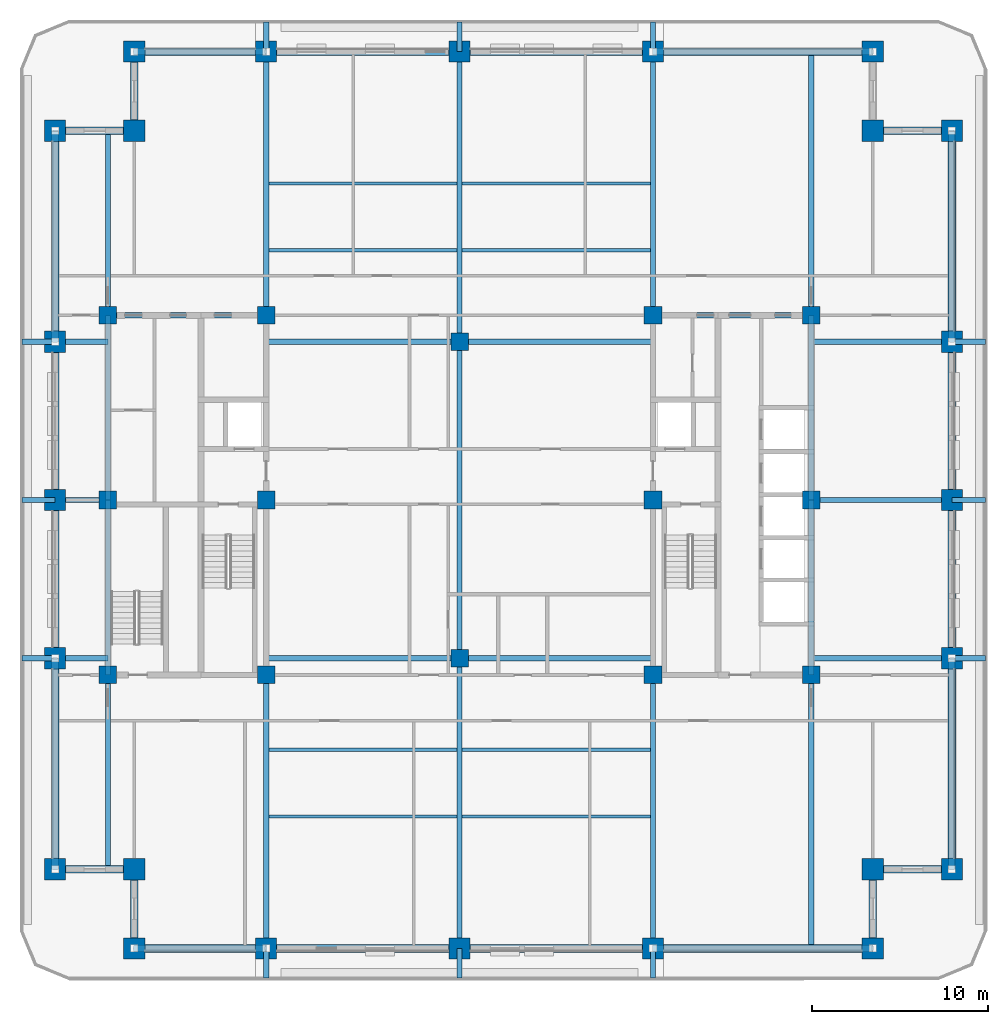
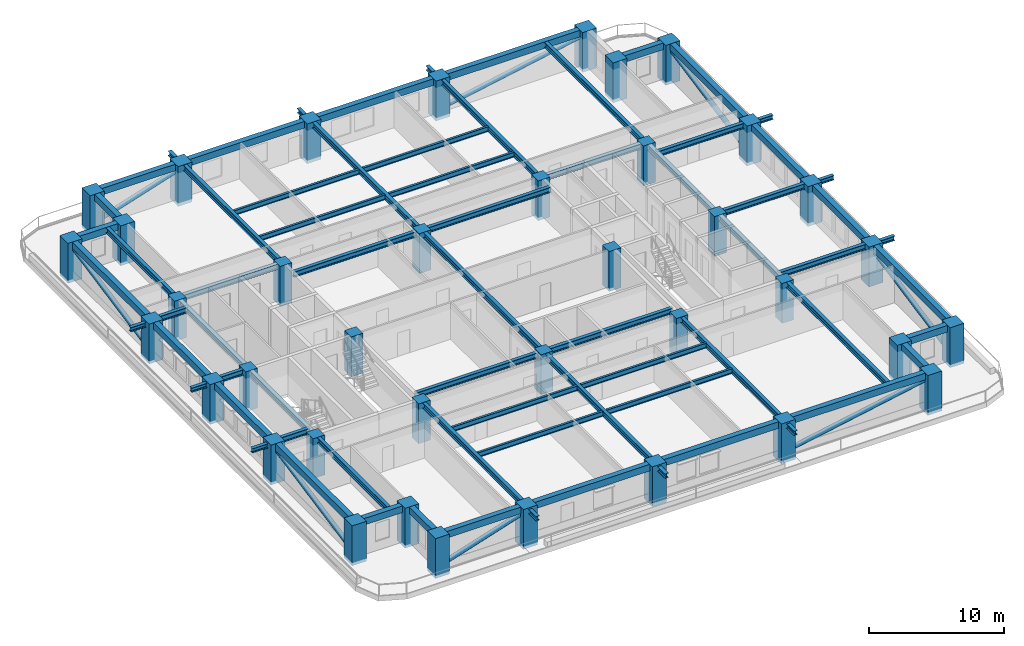
# One storey, part 1 of 14: 70 beams, 38 columns, 8 members.
"""IFC4 building model written with IfcOpenShell, lengths in metres."""

from ifc_helpers import new_model, si_unit, direction, frame, origin, origin_2d, place, context, subcontext, project, spatial, rectangle, hollow_circle, i_section, extrude, material, material_profile, profile_set, type_object, element, save


model = new_model("IFC4")

# Units and contexts
model_context = context("Model", 3, precision=1e-05, world=origin(), true_north=direction((0.0, 1.0)))
body_context = subcontext(model_context, "Body", "Model", "MODEL_VIEW")
ifc_project = project(units=[si_unit("LENGTHUNIT", "METRE"), si_unit("AREAUNIT", "SQUARE_METRE"), si_unit("VOLUMEUNIT", "CUBIC_METRE"), si_unit("PLANEANGLEUNIT", "RADIAN"), si_unit("MASSUNIT", "GRAM", prefix="KILO")], contexts=[model_context])

# Site, building, storey
site_placement = place(None, origin())
site = spatial("IfcSite", under=ifc_project, at=site_placement, CompositionType="ELEMENT")
building_placement = place(site_placement, origin())
building = spatial("IfcBuilding", under=site, at=building_placement, Name="Zulmaris Gate Convention Tower", CompositionType="ELEMENT")
storey_placement = place(building_placement, frame((0.0, 0.0, 98.5)))
storey = spatial("IfcBuildingStorey", under=building, at=storey_placement, Name="L24", CompositionType="ELEMENT", Elevation=98.5)

# Columns
ifc_material_1 = material(Name="Concrete C60/75", Category="concrete")
ifc_material_profile_1 = material_profile(ifc_material_1, rectangle(XDim=1.0, YDim=1.0, at=origin_2d()), Name="RC COL 1000x1000")
ifc_profile_set_1 = profile_set([ifc_material_profile_1], Name="Concrete C60/75")
column_type_1 = type_object("IfcColumnType", Name="COL-RC1000", PredefinedType="COLUMN", material=ifc_profile_set_1)
for number, where, z_axis, x_axis, name in (
    (1, (-20.0, -9.949951171875, -0.27490234375), (0.0, 0.0, 1.0), (1.0, 0.0, 0.0), "L24 Column IN--20.00_-9.95"),
    (2, (-20.0, 10.5, -0.27490234375), (0.0, 0.0, 1.0), (1.0, 0.0, 0.0), "L24 Column IN--20.00_+10.50"),
    (3, (-11.0, -9.949951171875, -0.27490234375), (0.0, 0.0, 1.0), (1.0, 0.0, 0.0), "L24 Column IN--11.00_-9.95"),
    (4, (-11.0, 0.0, -0.27490234375), (0.0, 0.0, 1.0), (1.0, 0.0, 0.0), "L24 Column IN--11.00_+0.00"),
    (5, (-11.0, 10.5, -0.27490234375), (0.0, 0.0, 1.0), (1.0, 0.0, 0.0), "L24 Column IN--11.00_+10.50"),
    (6, (11.0, -9.949951171875, -0.27490234375), (0.0, 0.0, 1.0), (1.0, 0.0, 0.0), "L24 Column IN-+11.00_-9.95"),
    (7, (11.0, 0.0, -0.27490234375), (0.0, 0.0, 1.0), (1.0, 0.0, 0.0), "L24 Column IN-+11.00_+0.00"),
    (8, (11.0, 10.5, -0.27490234375), (0.0, 0.0, 1.0), (1.0, 0.0, 0.0), "L24 Column IN-+11.00_+10.50"),
    (9, (20.0, -9.949951171875, -0.27490234375), (0.0, 0.0, 1.0), (1.0, 0.0, 0.0), "L24 Column IN-+20.00_-9.95"),
    (10, (20.0, 10.5, -0.27490234375), (0.0, 0.0, 1.0), (1.0, 0.0, 0.0), "L24 Column IN-+20.00_+10.50"),
    (11, (0.0, -9.0, -0.27490234375), (0.0, 0.0, 1.0), (1.0, 0.0, 0.0), "L24 Column IN-+0.00_-9.00"),
    (12, (0.0, 9.0, -0.27490234375), (0.0, 0.0, 1.0), (1.0, 0.0, 0.0), "L24 Column IN-+0.00_+9.00"),
    (13, (-20.0, 0.0, -0.27490234375), (0.0, 0.0, 1.0), (1.0, 0.0, 0.0), "L24 Column IN--20.00_+0.00"),
    (14, (20.0, 0.0, -0.27490234375), (0.0, 0.0, 1.0), (1.0, 0.0, 0.0), "L24 Column IN-+20.00_+0.00"),
):
    element("IfcColumn", number, at=place(storey_placement, frame(where, z_axis=z_axis, x_axis=x_axis)), inside=storey, type_object=column_type_1, Name=name, PredefinedType="COLUMN", context=body_context, shape_type="SweptSolid", body=[
        extrude(rectangle(XDim=1.0, YDim=1.0, at=origin_2d()), origin(), (0.0, 0.0, 1.0), 3.5947265625),
    ])
ifc_material_2 = material(Name="Concrete C70/85", Category="concrete")
ifc_material_profile_2 = material_profile(ifc_material_2, rectangle(XDim=1.199951171875, YDim=1.199951171875, at=origin_2d()), Name="RC COL 1200x1200")
ifc_profile_set_2 = profile_set([ifc_material_profile_2], Name="Concrete C70/85")
column_type_2 = type_object("IfcColumnType", Name="COL-RC1200", PredefinedType="COLUMN", material=ifc_profile_set_2)
for number, where, z_axis, x_axis, name in (
    (15, (-18.5, -25.5, -0.27490234375), (0.0, 0.0, 1.0), (1.0, 0.0, 0.0), "L24 Column PT--18.50_-25.50"),
    (16, (-11.0, -25.5, -0.27490234375), (0.0, 0.0, 1.0), (1.0, 0.0, 0.0), "L24 Column PT--11.00_-25.50"),
    (17, (0.0, -25.5, -0.27490234375), (0.0, 0.0, 1.0), (1.0, 0.0, 0.0), "L24 Column PT-+0.00_-25.50"),
    (18, (11.0, -25.5, -0.27490234375), (0.0, 0.0, 1.0), (1.0, 0.0, 0.0), "L24 Column PT-+11.00_-25.50"),
    (19, (23.5, -25.5, -0.27490234375), (0.0, 0.0, 1.0), (1.0, 0.0, 0.0), "L24 Column PT-+23.50_-25.50"),
    (20, (-18.5, 25.5, -0.27490234375), (0.0, 0.0, 1.0), (1.0, 0.0, 0.0), "L24 Column PT--18.50_+25.50"),
    (21, (-11.0, 25.5, -0.27490234375), (0.0, 0.0, 1.0), (1.0, 0.0, 0.0), "L24 Column PT--11.00_+25.50"),
    (22, (0.0, 25.5, -0.27490234375), (0.0, 0.0, 1.0), (1.0, 0.0, 0.0), "L24 Column PT-+0.00_+25.50"),
    (23, (11.0, 25.5, -0.27490234375), (0.0, 0.0, 1.0), (1.0, 0.0, 0.0), "L24 Column PT-+11.00_+25.50"),
    (24, (23.5, 25.5, -0.27490234375), (0.0, 0.0, 1.0), (1.0, 0.0, 0.0), "L24 Column PT-+23.50_+25.50"),
    (25, (-23.0, -21.0, -0.27490234375), (0.0, 0.0, 1.0), (1.0, 0.0, 0.0), "L24 Column PT--23.00_-21.00"),
    (26, (-23.0, -9.0, -0.27490234375), (0.0, 0.0, 1.0), (1.0, 0.0, 0.0), "L24 Column PT--23.00_-9.00"),
    (27, (-23.0, 0.0, -0.27490234375), (0.0, 0.0, 1.0), (1.0, 0.0, 0.0), "L24 Column PT--23.00_+0.00"),
    (28, (-23.0, 9.0, -0.27490234375), (0.0, 0.0, 1.0), (1.0, 0.0, 0.0), "L24 Column PT--23.00_+9.00"),
    (29, (-23.0, 21.0, -0.27490234375), (0.0, 0.0, 1.0), (1.0, 0.0, 0.0), "L24 Column PT--23.00_+21.00"),
    (30, (28.0, -21.0, -0.27490234375), (0.0, 0.0, 1.0), (1.0, 0.0, 0.0), "L24 Column PT-+28.00_-21.00"),
    (31, (28.0, -9.0, -0.27490234375), (0.0, 0.0, 1.0), (1.0, 0.0, 0.0), "L24 Column PT-+28.00_-9.00"),
    (32, (28.0, 0.0, -0.27490234375), (0.0, 0.0, 1.0), (1.0, 0.0, 0.0), "L24 Column PT-+28.00_+0.00"),
    (33, (28.0, 9.0, -0.27490234375), (0.0, 0.0, 1.0), (1.0, 0.0, 0.0), "L24 Column PT-+28.00_+9.00"),
    (34, (28.0, 21.0, -0.27490234375), (0.0, 0.0, 1.0), (1.0, 0.0, 0.0), "L24 Column PT-+28.00_+21.00"),
    (35, (-18.5, -21.0, -0.27490234375), (0.0, 0.0, 1.0), (1.0, 0.0, 0.0), "L24 Column PT--18.50_-21.00"),
    (36, (23.5, -21.0, -0.27490234375), (0.0, 0.0, 1.0), (1.0, 0.0, 0.0), "L24 Column PT-+23.50_-21.00"),
    (37, (23.5, 21.0, -0.27490234375), (0.0, 0.0, 1.0), (1.0, 0.0, 0.0), "L24 Column PT-+23.50_+21.00"),
    (38, (-18.5, 21.0, -0.27490234375), (0.0, 0.0, 1.0), (1.0, 0.0, 0.0), "L24 Column PT--18.50_+21.00"),
):
    element("IfcColumn", number, at=place(storey_placement, frame(where, z_axis=z_axis, x_axis=x_axis)), inside=storey, type_object=column_type_2, Name=name, PredefinedType="COLUMN", context=body_context, shape_type="SweptSolid", body=[
        extrude(rectangle(XDim=1.199951171875, YDim=1.199951171875, at=origin_2d()), origin(), (0.0, 0.0, 1.0), 3.5947265625),
    ])

# Beams
ifc_material_3 = material(Name="Steel S355", Category="steel")
ifc_material_profile_3 = material_profile(ifc_material_3, i_section(OverallWidth=0.300048828125, OverallDepth=0.39990234375, WebThickness=0.013427734375, FlangeThickness=0.02392578125, FilletRadius=0.027099609375, at=origin_2d()), Name="HEB 400")
ifc_profile_set_3 = profile_set([ifc_material_profile_3], Name="Steel S355")
beam_type_1 = type_object("IfcBeamType", Name="BM-HEB400", PredefinedType="BEAM", material=ifc_profile_set_3)
for number, where, z_axis, x_axis, name in (
    (39, (-11.0, -27.199951171875, 2.979736328125), (0.0, 1.0, 0.0), (-1.0, 0.0, 0.0), "L24 Beam TBRK-L24-S--11"),
    (40, (-11.0, 25.5, 2.979736328125), (0.0, 1.0, 0.0), (-1.0, 0.0, 0.0), "L24 Beam TBRK-L24-N--11"),
    (41, (0.0, -27.199951171875, 2.979736328125), (0.0, 1.0, 0.0), (-1.0, 0.0, 0.0), "L24 Beam TBRK-L24-S-+0"),
    (42, (0.0, 25.5, 2.979736328125), (0.0, 1.0, 0.0), (-1.0, 0.0, 0.0), "L24 Beam TBRK-L24-N-+0"),
    (43, (11.0, -27.199951171875, 2.979736328125), (0.0, 1.0, 0.0), (-1.0, 0.0, 0.0), "L24 Beam TBRK-L24-S-+11"),
    (44, (11.0, 25.5, 2.979736328125), (0.0, 1.0, 0.0), (-1.0, 0.0, 0.0), "L24 Beam TBRK-L24-N-+11"),
):
    element("IfcBeam", number, at=place(storey_placement, frame(where, z_axis=z_axis, x_axis=x_axis)), inside=storey, type_object=beam_type_1, Name=name, PredefinedType="BEAM", context=body_context, shape_type="SweptSolid", body=[
        extrude(i_section(OverallWidth=0.300048828125, OverallDepth=0.39990234375, WebThickness=0.013427734375, FlangeThickness=0.02392578125, FilletRadius=0.027099609375, at=origin_2d()), origin(), (0.0, 0.0, 1.0), 1.699951171875),
    ])
for number, where, z_axis, x_axis, name in (
    (45, (-24.89990234375, -9.0, 2.979736328125), (1.0, 0.0, 0.0), (0.0, 1.0, 0.0), "L24 Beam TBRK-L24-W--9"),
    (46, (28.0, -9.0, 2.979736328125), (1.0, 0.0, 0.0), (0.0, 1.0, 0.0), "L24 Beam TBRK-L24-E--9"),
    (47, (-24.89990234375, 0.0, 2.979736328125), (1.0, 0.0, 0.0), (0.0, 1.0, 0.0), "L24 Beam TBRK-L24-W-+0"),
    (48, (28.0, 0.0, 2.979736328125), (1.0, 0.0, 0.0), (0.0, 1.0, 0.0), "L24 Beam TBRK-L24-E-+0"),
    (49, (-24.89990234375, 9.0, 2.979736328125), (1.0, 0.0, 0.0), (0.0, 1.0, 0.0), "L24 Beam TBRK-L24-W-+9"),
    (50, (28.0, 9.0, 2.979736328125), (1.0, 0.0, 0.0), (0.0, 1.0, 0.0), "L24 Beam TBRK-L24-E-+9"),
):
    element("IfcBeam", number, at=place(storey_placement, frame(where, z_axis=z_axis, x_axis=x_axis)), inside=storey, type_object=beam_type_1, Name=name, PredefinedType="BEAM", context=body_context, shape_type="SweptSolid", body=[
        extrude(i_section(OverallWidth=0.300048828125, OverallDepth=0.39990234375, WebThickness=0.013427734375, FlangeThickness=0.02392578125, FilletRadius=0.027099609375, at=origin_2d()), origin(), (0.0, 0.0, 1.0), 1.89990234375),
    ])
ifc_material_profile_4 = material_profile(ifc_material_3, i_section(OverallWidth=0.300048828125, OverallDepth=0.5, WebThickness=0.014404296875, FlangeThickness=0.028076171875, FilletRadius=0.027099609375, at=origin_2d()), Name="HEB 500")
ifc_profile_set_4 = profile_set([ifc_material_profile_4], Name="Steel S355")
beam_type_2 = type_object("IfcBeamType", Name="BM-HEB500", PredefinedType="BEAM", material=ifc_profile_set_4)
for number, where, z_axis, x_axis, name in (
    (51, (-11.0, -9.0, 3.06787109375), (1.0, 0.0, 0.0), (0.0, 1.0, 0.0), "L24 Beam BM-L24-G01"),
    (52, (0.0, -9.0, 3.06787109375), (1.0, 0.0, 0.0), (0.0, 1.0, 0.0), "L24 Beam BM-L24-G02"),
    (53, (-11.0, 9.0, 3.06787109375), (1.0, 0.0, 0.0), (0.0, 1.0, 0.0), "L24 Beam BM-L24-G03"),
    (54, (0.0, 9.0, 3.06787109375), (1.0, 0.0, 0.0), (0.0, 1.0, 0.0), "L24 Beam BM-L24-G04"),
):
    element("IfcBeam", number, at=place(storey_placement, frame(where, z_axis=z_axis, x_axis=x_axis)), inside=storey, type_object=beam_type_2, Name=name, PredefinedType="BEAM", context=body_context, shape_type="SweptSolid", body=[
        extrude(i_section(OverallWidth=0.300048828125, OverallDepth=0.5, WebThickness=0.014404296875, FlangeThickness=0.028076171875, FilletRadius=0.027099609375, at=origin_2d()), origin(), (0.0, 0.0, 1.0), 11.0),
    ])
beam_1_placement = place(storey_placement, frame((0.0, -25.5, 3.042724609375), z_axis=(0.0, 1.0, 0.0), x_axis=(-1.0, 0.0, 0.0)))
element("IfcBeam", 55, at=beam_1_placement, inside=storey, type_object=beam_type_2, Name="L24 Beam BM-L24-G05", PredefinedType="BEAM", context=body_context, shape_type="SweptSolid", body=[
    extrude(i_section(OverallWidth=0.300048828125, OverallDepth=0.5, WebThickness=0.014404296875, FlangeThickness=0.028076171875, FilletRadius=0.027099609375, at=origin_2d()), origin(), (0.0, 0.0, 1.0), 16.5),
])
beam_2_placement = place(storey_placement, frame((0.0, -9.0, 3.06787109375), z_axis=(0.0, 1.0, 0.0), x_axis=(-1.0, 0.0, 0.0)))
element("IfcBeam", 56, at=beam_2_placement, inside=storey, type_object=beam_type_2, Name="L24 Beam BM-L24-G06", PredefinedType="BEAM", context=body_context, shape_type="SweptSolid", body=[
    extrude(i_section(OverallWidth=0.300048828125, OverallDepth=0.5, WebThickness=0.014404296875, FlangeThickness=0.028076171875, FilletRadius=0.027099609375, at=origin_2d()), origin(), (0.0, 0.0, 1.0), 18.0),
])
beam_3_placement = place(storey_placement, frame((0.0, 9.0, 3.042724609375), z_axis=(0.0, 1.0, 0.0), x_axis=(-1.0, 0.0, 0.0)))
element("IfcBeam", 57, at=beam_3_placement, inside=storey, type_object=beam_type_2, Name="L24 Beam BM-L24-G07", PredefinedType="BEAM", context=body_context, shape_type="SweptSolid", body=[
    extrude(i_section(OverallWidth=0.300048828125, OverallDepth=0.5, WebThickness=0.014404296875, FlangeThickness=0.028076171875, FilletRadius=0.027099609375, at=origin_2d()), origin(), (0.0, 0.0, 1.0), 16.5),
])
beam_4_placement = place(storey_placement, frame((-11.0, -25.5, 3.042724609375), z_axis=(0.0, 1.0, 0.0), x_axis=(-1.0, 0.0, 0.0)))
element("IfcBeam", 58, at=beam_4_placement, inside=storey, type_object=beam_type_2, Name="L24 Beam BM-L24-G08", PredefinedType="BEAM", context=body_context, shape_type="SweptSolid", body=[
    extrude(i_section(OverallWidth=0.300048828125, OverallDepth=0.5, WebThickness=0.014404296875, FlangeThickness=0.028076171875, FilletRadius=0.027099609375, at=origin_2d()), origin(), (0.0, 0.0, 1.0), 15.550048828125),
])
beam_5_placement = place(storey_placement, frame((-11.0, 10.5, 3.042724609375), z_axis=(0.0, 1.0, 0.0), x_axis=(-1.0, 0.0, 0.0)))
element("IfcBeam", 59, at=beam_5_placement, inside=storey, type_object=beam_type_2, Name="L24 Beam BM-L24-G09", PredefinedType="BEAM", context=body_context, shape_type="SweptSolid", body=[
    extrude(i_section(OverallWidth=0.300048828125, OverallDepth=0.5, WebThickness=0.014404296875, FlangeThickness=0.028076171875, FilletRadius=0.027099609375, at=origin_2d()), origin(), (0.0, 0.0, 1.0), 15.0),
])
beam_6_placement = place(storey_placement, frame((11.0, -25.5, 3.042724609375), z_axis=(0.0, 1.0, 0.0), x_axis=(-1.0, 0.0, 0.0)))
element("IfcBeam", 60, at=beam_6_placement, inside=storey, type_object=beam_type_2, Name="L24 Beam BM-L24-G10", PredefinedType="BEAM", context=body_context, shape_type="SweptSolid", body=[
    extrude(i_section(OverallWidth=0.300048828125, OverallDepth=0.5, WebThickness=0.014404296875, FlangeThickness=0.028076171875, FilletRadius=0.027099609375, at=origin_2d()), origin(), (0.0, 0.0, 1.0), 15.550048828125),
])
beam_7_placement = place(storey_placement, frame((11.0, 10.5, 3.042724609375), z_axis=(0.0, 1.0, 0.0), x_axis=(-1.0, 0.0, 0.0)))
element("IfcBeam", 61, at=beam_7_placement, inside=storey, type_object=beam_type_2, Name="L24 Beam BM-L24-G11", PredefinedType="BEAM", context=body_context, shape_type="SweptSolid", body=[
    extrude(i_section(OverallWidth=0.300048828125, OverallDepth=0.5, WebThickness=0.014404296875, FlangeThickness=0.028076171875, FilletRadius=0.027099609375, at=origin_2d()), origin(), (0.0, 0.0, 1.0), 15.0),
])
beam_8_placement = place(storey_placement, frame((-20.0, -21.0, 3.06787109375), z_axis=(0.0, 1.0, 0.0), x_axis=(-1.0, 0.0, 0.0)))
element("IfcBeam", 62, at=beam_8_placement, inside=storey, type_object=beam_type_2, Name="L24 Beam BM-L24-G12", PredefinedType="BEAM", context=body_context, shape_type="SweptSolid", body=[
    extrude(i_section(OverallWidth=0.300048828125, OverallDepth=0.5, WebThickness=0.014404296875, FlangeThickness=0.028076171875, FilletRadius=0.027099609375, at=origin_2d()), origin(), (0.0, 0.0, 1.0), 11.050048828125),
])
beam_9_placement = place(storey_placement, frame((-20.0, 10.5, 3.06787109375), z_axis=(0.0, 1.0, 0.0), x_axis=(-1.0, 0.0, 0.0)))
element("IfcBeam", 63, at=beam_9_placement, inside=storey, type_object=beam_type_2, Name="L24 Beam BM-L24-G13", PredefinedType="BEAM", context=body_context, shape_type="SweptSolid", body=[
    extrude(i_section(OverallWidth=0.300048828125, OverallDepth=0.5, WebThickness=0.014404296875, FlangeThickness=0.028076171875, FilletRadius=0.027099609375, at=origin_2d()), origin(), (0.0, 0.0, 1.0), 10.5),
])
beam_10_placement = place(storey_placement, frame((20.0, -25.5, 3.06787109375), z_axis=(0.0, 1.0, 0.0), x_axis=(-1.0, 0.0, 0.0)))
element("IfcBeam", 64, at=beam_10_placement, inside=storey, type_object=beam_type_2, Name="L24 Beam BM-L24-G14", PredefinedType="BEAM", context=body_context, shape_type="SweptSolid", body=[
    extrude(i_section(OverallWidth=0.300048828125, OverallDepth=0.5, WebThickness=0.014404296875, FlangeThickness=0.028076171875, FilletRadius=0.027099609375, at=origin_2d()), origin(), (0.0, 0.0, 1.0), 15.550048828125),
])
beam_11_placement = place(storey_placement, frame((20.0, 10.5, 3.06787109375), z_axis=(0.0, 1.0, 0.0), x_axis=(-1.0, 0.0, 0.0)))
element("IfcBeam", 65, at=beam_11_placement, inside=storey, type_object=beam_type_2, Name="L24 Beam BM-L24-G15", PredefinedType="BEAM", context=body_context, shape_type="SweptSolid", body=[
    extrude(i_section(OverallWidth=0.300048828125, OverallDepth=0.5, WebThickness=0.014404296875, FlangeThickness=0.028076171875, FilletRadius=0.027099609375, at=origin_2d()), origin(), (0.0, 0.0, 1.0), 15.0),
])
for number, where, z_axis, x_axis, name in (
    (66, (-23.0, -9.0, 3.06787109375), (1.0, 0.0, 0.0), (0.0, 1.0, 0.0), "L24 Beam BM-L24-G16"),
    (67, (-23.0, 0.0, 3.06787109375), (1.0, 0.0, 0.0), (0.0, 1.0, 0.0), "L24 Beam BM-L24-G17"),
    (68, (-23.0, 9.0, 3.06787109375), (1.0, 0.0, 0.0), (0.0, 1.0, 0.0), "L24 Beam BM-L24-G18"),
):
    element("IfcBeam", number, at=place(storey_placement, frame(where, z_axis=z_axis, x_axis=x_axis)), inside=storey, type_object=beam_type_2, Name=name, PredefinedType="BEAM", context=body_context, shape_type="SweptSolid", body=[
        extrude(i_section(OverallWidth=0.300048828125, OverallDepth=0.5, WebThickness=0.014404296875, FlangeThickness=0.028076171875, FilletRadius=0.027099609375, at=origin_2d()), origin(), (0.0, 0.0, 1.0), 3.0),
    ])
for number, where, z_axis, x_axis, name in (
    (69, (20.0, -9.0, 3.06787109375), (1.0, 0.0, 0.0), (0.0, 1.0, 0.0), "L24 Beam BM-L24-G19"),
    (70, (20.0, 0.0, 3.06787109375), (1.0, 0.0, 0.0), (0.0, 1.0, 0.0), "L24 Beam BM-L24-G20"),
    (71, (20.0, 9.0, 3.06787109375), (1.0, 0.0, 0.0), (0.0, 1.0, 0.0), "L24 Beam BM-L24-G21"),
):
    element("IfcBeam", number, at=place(storey_placement, frame(where, z_axis=z_axis, x_axis=x_axis)), inside=storey, type_object=beam_type_2, Name=name, PredefinedType="BEAM", context=body_context, shape_type="SweptSolid", body=[
        extrude(i_section(OverallWidth=0.300048828125, OverallDepth=0.5, WebThickness=0.014404296875, FlangeThickness=0.028076171875, FilletRadius=0.027099609375, at=origin_2d()), origin(), (0.0, 0.0, 1.0), 8.0),
    ])
for number, where, z_axis, x_axis, name in (
    (72, (-20.0, 10.5, 3.06787109375), (1.0, 0.0, 0.0), (0.0, 1.0, 0.0), "L24 Beam BM-L24-G23"),
    (73, (11.0, 10.5, 3.06787109375), (1.0, 0.0, 0.0), (0.0, 1.0, 0.0), "L24 Beam BM-L24-G25"),
):
    element("IfcBeam", number, at=place(storey_placement, frame(where, z_axis=z_axis, x_axis=x_axis)), inside=storey, type_object=beam_type_2, Name=name, PredefinedType="BEAM", context=body_context, shape_type="SweptSolid", body=[
        extrude(i_section(OverallWidth=0.300048828125, OverallDepth=0.5, WebThickness=0.014404296875, FlangeThickness=0.028076171875, FilletRadius=0.027099609375, at=origin_2d()), origin(), (0.0, 0.0, 1.0), 9.0),
    ])
beam_12_placement = place(storey_placement, frame((-20.0, -9.949951171875, 3.06787109375), z_axis=(0.0, 1.0, 0.0), x_axis=(-1.0, 0.0, 0.0)))
element("IfcBeam", 74, at=beam_12_placement, inside=storey, type_object=beam_type_2, Name="L24 Beam BM-L24-G26", PredefinedType="BEAM", context=body_context, shape_type="SweptSolid", body=[
    extrude(i_section(OverallWidth=0.300048828125, OverallDepth=0.5, WebThickness=0.014404296875, FlangeThickness=0.028076171875, FilletRadius=0.027099609375, at=origin_2d()), origin(), (0.0, 0.0, 1.0), 9.949951171875),
])
beam_13_placement = place(storey_placement, frame((-20.0, 0.0, 3.06787109375), z_axis=(0.0, 1.0, 0.0), x_axis=(-1.0, 0.0, 0.0)))
element("IfcBeam", 75, at=beam_13_placement, inside=storey, type_object=beam_type_2, Name="L24 Beam BM-L24-G27", PredefinedType="BEAM", context=body_context, shape_type="SweptSolid", body=[
    extrude(i_section(OverallWidth=0.300048828125, OverallDepth=0.5, WebThickness=0.014404296875, FlangeThickness=0.028076171875, FilletRadius=0.027099609375, at=origin_2d()), origin(), (0.0, 0.0, 1.0), 10.5),
])
beam_14_placement = place(storey_placement, frame((20.0, -9.949951171875, 3.06787109375), z_axis=(0.0, 1.0, 0.0), x_axis=(-1.0, 0.0, 0.0)))
element("IfcBeam", 76, at=beam_14_placement, inside=storey, type_object=beam_type_2, Name="L24 Beam BM-L24-G28", PredefinedType="BEAM", context=body_context, shape_type="SweptSolid", body=[
    extrude(i_section(OverallWidth=0.300048828125, OverallDepth=0.5, WebThickness=0.014404296875, FlangeThickness=0.028076171875, FilletRadius=0.027099609375, at=origin_2d()), origin(), (0.0, 0.0, 1.0), 9.949951171875),
])
beam_15_placement = place(storey_placement, frame((20.0, 0.0, 3.06787109375), z_axis=(0.0, 1.0, 0.0), x_axis=(-1.0, 0.0, 0.0)))
element("IfcBeam", 77, at=beam_15_placement, inside=storey, type_object=beam_type_2, Name="L24 Beam BM-L24-G29", PredefinedType="BEAM", context=body_context, shape_type="SweptSolid", body=[
    extrude(i_section(OverallWidth=0.300048828125, OverallDepth=0.5, WebThickness=0.014404296875, FlangeThickness=0.028076171875, FilletRadius=0.027099609375, at=origin_2d()), origin(), (0.0, 0.0, 1.0), 10.5),
])
ifc_material_4 = material(Name="Precast concrete C50/60", Category="concrete")
ifc_material_profile_5 = material_profile(ifc_material_4, rectangle(XDim=0.449951171875, YDim=0.60009765625, at=origin_2d()), Name="RC SPANDREL 450x600")
ifc_profile_set_5 = profile_set([ifc_material_profile_5], Name="Precast concrete C50/60")
beam_type_3 = type_object("IfcBeamType", Name="BM-SP450x600", PredefinedType="SPANDREL", material=ifc_profile_set_5)
beam_16_placement = place(storey_placement, frame((-18.5, -25.5, 3.019775390625), z_axis=(1.0, 0.0, 0.0), x_axis=(0.0, 1.0, 0.0)))
element("IfcBeam", 78, at=beam_16_placement, inside=storey, type_object=beam_type_3, Name="L24 Spandrel SP-L24-01", PredefinedType="SPANDREL", context=body_context, shape_type="SweptSolid", body=[
    extrude(rectangle(XDim=0.449951171875, YDim=0.60009765625, at=origin_2d()), origin(), (0.0, 0.0, 1.0), 7.5),
])
for number, where, z_axis, x_axis, name in (
    (79, (-11.0, -25.5, 3.019775390625), (1.0, 0.0, 0.0), (0.0, 1.0, 0.0), "L24 Spandrel SP-L24-02"),
    (80, (0.0, -25.5, 3.019775390625), (1.0, 0.0, 0.0), (0.0, 1.0, 0.0), "L24 Spandrel SP-L24-03"),
):
    element("IfcBeam", number, at=place(storey_placement, frame(where, z_axis=z_axis, x_axis=x_axis)), inside=storey, type_object=beam_type_3, Name=name, PredefinedType="SPANDREL", context=body_context, shape_type="SweptSolid", body=[
        extrude(rectangle(XDim=0.449951171875, YDim=0.60009765625, at=origin_2d()), origin(), (0.0, 0.0, 1.0), 11.0),
    ])
beam_17_placement = place(storey_placement, frame((11.0, -25.5, 3.019775390625), z_axis=(1.0, 0.0, 0.0), x_axis=(0.0, 1.0, 0.0)))
element("IfcBeam", 81, at=beam_17_placement, inside=storey, type_object=beam_type_3, Name="L24 Spandrel SP-L24-04", PredefinedType="SPANDREL", context=body_context, shape_type="SweptSolid", body=[
    extrude(rectangle(XDim=0.449951171875, YDim=0.60009765625, at=origin_2d()), origin(), (0.0, 0.0, 1.0), 12.5),
])
for number, where, z_axis, x_axis, name in (
    (82, (23.5, -25.5, 3.019775390625), (0.0, 1.0, 0.0), (-1.0, 0.0, 0.0), "L24 Spandrel SP-L24-05"),
    (83, (23.5, -21.0, 3.019775390625), (1.0, 0.0, 0.0), (0.0, 1.0, 0.0), "L24 Spandrel SP-L24-06"),
):
    element("IfcBeam", number, at=place(storey_placement, frame(where, z_axis=z_axis, x_axis=x_axis)), inside=storey, type_object=beam_type_3, Name=name, PredefinedType="SPANDREL", context=body_context, shape_type="SweptSolid", body=[
        extrude(rectangle(XDim=0.449951171875, YDim=0.60009765625, at=origin_2d()), origin(), (0.0, 0.0, 1.0), 4.5),
    ])
beam_18_placement = place(storey_placement, frame((28.0, -21.0, 3.019775390625), z_axis=(0.0, 1.0, 0.0), x_axis=(-1.0, 0.0, 0.0)))
element("IfcBeam", 84, at=beam_18_placement, inside=storey, type_object=beam_type_3, Name="L24 Spandrel SP-L24-07", PredefinedType="SPANDREL", context=body_context, shape_type="SweptSolid", body=[
    extrude(rectangle(XDim=0.449951171875, YDim=0.60009765625, at=origin_2d()), origin(), (0.0, 0.0, 1.0), 12.0),
])
for number, where, z_axis, x_axis, name in (
    (85, (28.0, -9.0, 3.019775390625), (0.0, 1.0, 0.0), (-1.0, 0.0, 0.0), "L24 Spandrel SP-L24-08"),
    (86, (28.0, 0.0, 3.019775390625), (0.0, 1.0, 0.0), (-1.0, 0.0, 0.0), "L24 Spandrel SP-L24-09"),
):
    element("IfcBeam", number, at=place(storey_placement, frame(where, z_axis=z_axis, x_axis=x_axis)), inside=storey, type_object=beam_type_3, Name=name, PredefinedType="SPANDREL", context=body_context, shape_type="SweptSolid", body=[
        extrude(rectangle(XDim=0.449951171875, YDim=0.60009765625, at=origin_2d()), origin(), (0.0, 0.0, 1.0), 9.0),
    ])
beam_19_placement = place(storey_placement, frame((28.0, 9.0, 3.019775390625), z_axis=(0.0, 1.0, 0.0), x_axis=(-1.0, 0.0, 0.0)))
element("IfcBeam", 87, at=beam_19_placement, inside=storey, type_object=beam_type_3, Name="L24 Spandrel SP-L24-10", PredefinedType="SPANDREL", context=body_context, shape_type="SweptSolid", body=[
    extrude(rectangle(XDim=0.449951171875, YDim=0.60009765625, at=origin_2d()), origin(), (0.0, 0.0, 1.0), 12.0),
])
beam_20_placement = place(storey_placement, frame((28.0, 21.0, 3.019775390625), z_axis=(-1.0, 0.0, 0.0), x_axis=(0.0, -1.0, 0.0)))
element("IfcBeam", 88, at=beam_20_placement, inside=storey, type_object=beam_type_3, Name="L24 Spandrel SP-L24-11", PredefinedType="SPANDREL", context=body_context, shape_type="SweptSolid", body=[
    extrude(rectangle(XDim=0.449951171875, YDim=0.60009765625, at=origin_2d()), origin(), (0.0, 0.0, 1.0), 4.5),
])
beam_21_placement = place(storey_placement, frame((23.5, 25.5, 3.019775390625), z_axis=(-1.0, 0.0, 0.0), x_axis=(0.0, -1.0, 0.0)))
element("IfcBeam", 89, at=beam_21_placement, inside=storey, type_object=beam_type_3, Name="L24 Spandrel SP-L24-13", PredefinedType="SPANDREL", context=body_context, shape_type="SweptSolid", body=[
    extrude(rectangle(XDim=0.449951171875, YDim=0.60009765625, at=origin_2d()), origin(), (0.0, 0.0, 1.0), 12.5),
])
for number, where, z_axis, x_axis, name in (
    (90, (11.0, 25.5, 3.019775390625), (-1.0, 0.0, 0.0), (0.0, -1.0, 0.0), "L24 Spandrel SP-L24-14"),
    (91, (0.0, 25.5, 3.019775390625), (-1.0, 0.0, 0.0), (0.0, -1.0, 0.0), "L24 Spandrel SP-L24-15"),
):
    element("IfcBeam", number, at=place(storey_placement, frame(where, z_axis=z_axis, x_axis=x_axis)), inside=storey, type_object=beam_type_3, Name=name, PredefinedType="SPANDREL", context=body_context, shape_type="SweptSolid", body=[
        extrude(rectangle(XDim=0.449951171875, YDim=0.60009765625, at=origin_2d()), origin(), (0.0, 0.0, 1.0), 11.0),
    ])
beam_22_placement = place(storey_placement, frame((-11.0, 25.5, 3.019775390625), z_axis=(-1.0, 0.0, 0.0), x_axis=(0.0, -1.0, 0.0)))
element("IfcBeam", 92, at=beam_22_placement, inside=storey, type_object=beam_type_3, Name="L24 Spandrel SP-L24-16", PredefinedType="SPANDREL", context=body_context, shape_type="SweptSolid", body=[
    extrude(rectangle(XDim=0.449951171875, YDim=0.60009765625, at=origin_2d()), origin(), (0.0, 0.0, 1.0), 7.5),
])
for number, where, z_axis, x_axis, name in (
    (93, (-18.5, 25.5, 3.019775390625), (0.0, -1.0, 0.0), (1.0, 0.0, 0.0), "L24 Spandrel SP-L24-17"),
    (94, (-18.5, 21.0, 3.019775390625), (-1.0, 0.0, 0.0), (0.0, -1.0, 0.0), "L24 Spandrel SP-L24-18"),
):
    element("IfcBeam", number, at=place(storey_placement, frame(where, z_axis=z_axis, x_axis=x_axis)), inside=storey, type_object=beam_type_3, Name=name, PredefinedType="SPANDREL", context=body_context, shape_type="SweptSolid", body=[
        extrude(rectangle(XDim=0.449951171875, YDim=0.60009765625, at=origin_2d()), origin(), (0.0, 0.0, 1.0), 4.5),
    ])
beam_23_placement = place(storey_placement, frame((-23.0, 21.0, 3.019775390625), z_axis=(0.0, -1.0, 0.0), x_axis=(1.0, 0.0, 0.0)))
element("IfcBeam", 95, at=beam_23_placement, inside=storey, type_object=beam_type_3, Name="L24 Spandrel SP-L24-19", PredefinedType="SPANDREL", context=body_context, shape_type="SweptSolid", body=[
    extrude(rectangle(XDim=0.449951171875, YDim=0.60009765625, at=origin_2d()), origin(), (0.0, 0.0, 1.0), 12.0),
])
for number, where, z_axis, x_axis, name in (
    (96, (-23.0, 9.0, 3.019775390625), (0.0, -1.0, 0.0), (1.0, 0.0, 0.0), "L24 Spandrel SP-L24-20"),
    (97, (-23.0, 0.0, 3.019775390625), (0.0, -1.0, 0.0), (1.0, 0.0, 0.0), "L24 Spandrel SP-L24-21"),
):
    element("IfcBeam", number, at=place(storey_placement, frame(where, z_axis=z_axis, x_axis=x_axis)), inside=storey, type_object=beam_type_3, Name=name, PredefinedType="SPANDREL", context=body_context, shape_type="SweptSolid", body=[
        extrude(rectangle(XDim=0.449951171875, YDim=0.60009765625, at=origin_2d()), origin(), (0.0, 0.0, 1.0), 9.0),
    ])
beam_24_placement = place(storey_placement, frame((-23.0, -9.0, 3.019775390625), z_axis=(0.0, -1.0, 0.0), x_axis=(1.0, 0.0, 0.0)))
element("IfcBeam", 98, at=beam_24_placement, inside=storey, type_object=beam_type_3, Name="L24 Spandrel SP-L24-22", PredefinedType="SPANDREL", context=body_context, shape_type="SweptSolid", body=[
    extrude(rectangle(XDim=0.449951171875, YDim=0.60009765625, at=origin_2d()), origin(), (0.0, 0.0, 1.0), 12.0),
])
for number, where, z_axis, x_axis, name in (
    (99, (-23.0, -21.0, 3.019775390625), (1.0, 0.0, 0.0), (0.0, 1.0, 0.0), "L24 Spandrel SP-L24-23"),
    (100, (-18.5, -21.0, 3.019775390625), (0.0, -1.0, 0.0), (1.0, 0.0, 0.0), "L24 Spandrel SP-L24-24"),
):
    element("IfcBeam", number, at=place(storey_placement, frame(where, z_axis=z_axis, x_axis=x_axis)), inside=storey, type_object=beam_type_3, Name=name, PredefinedType="SPANDREL", context=body_context, shape_type="SweptSolid", body=[
        extrude(rectangle(XDim=0.449951171875, YDim=0.60009765625, at=origin_2d()), origin(), (0.0, 0.0, 1.0), 4.5),
    ])

# Members
ifc_material_5 = material(Name="Steel S460", Category="steel")
ifc_material_profile_6 = material_profile(ifc_material_5, hollow_circle(Radius=0.203125, WallThickness=0.02001953125, at=origin_2d()), Name="CHS 406.4x20")
ifc_profile_set_6 = profile_set([ifc_material_profile_6], Name="Steel S460")
member_type = type_object("IfcMemberType", Name="BR-CHS406", PredefinedType="BRACE", material=ifc_profile_set_6)
for number, where, z_axis, x_axis, name in (
    (101, (-23.0, -21.0, 0.300048828125), (0.0, 0.980586046497, 0.196089279196), (-1.0, 0.0, 0.0), "L24 Perimeter Tube Diagonal SW-W"),
    (102, (-23.0, 9.0, 0.300048828125), (0.0, 0.980586046497, 0.196089279196), (-1.0, 0.0, 0.0), "L24 Perimeter Tube Diagonal NW-W"),
    (103, (28.0, -21.0, 0.300048828125), (0.0, 0.980586046497, 0.196089279196), (-1.0, 0.0, 0.0), "L24 Perimeter Tube Diagonal SE-E"),
    (104, (28.0, 9.0, 0.300048828125), (0.0, 0.980586046497, 0.196089279196), (-1.0, 0.0, 0.0), "L24 Perimeter Tube Diagonal NE-E"),
):
    element("IfcMember", number, at=place(storey_placement, frame(where, z_axis=z_axis, x_axis=x_axis)), inside=storey, type_object=member_type, Name=name, PredefinedType="BRACE", context=body_context, shape_type="SweptSolid", body=[
        extrude(hollow_circle(Radius=0.203125, WallThickness=0.02001953125, at=origin_2d()), origin(), (0.0, 0.0, 1.0), 12.237548828125),
    ])
member_1_placement = place(storey_placement, frame((-18.5, -25.5, 0.300048828125), z_axis=(0.952436745898, 0.0, 0.304736353367), x_axis=(0.0, 1.0, 0.0)))
element("IfcMember", 105, at=member_1_placement, inside=storey, type_object=member_type, Name="L24 Perimeter Tube Diagonal SW-S", PredefinedType="BRACE", context=body_context, shape_type="SweptSolid", body=[
    extrude(hollow_circle(Radius=0.203125, WallThickness=0.02001953125, at=origin_2d()), origin(), (0.0, 0.0, 1.0), 7.87451171875),
])
member_2_placement = place(storey_placement, frame((11.0, -25.5, 0.300048828125), z_axis=(0.982067413751, 0.0, 0.188530090034), x_axis=(0.0, 1.0, 0.0)))
element("IfcMember", 106, at=member_2_placement, inside=storey, type_object=member_type, Name="L24 Perimeter Tube Diagonal SE-S", PredefinedType="BRACE", context=body_context, shape_type="SweptSolid", body=[
    extrude(hollow_circle(Radius=0.203125, WallThickness=0.02001953125, at=origin_2d()), origin(), (0.0, 0.0, 1.0), 12.728271484375),
])
member_3_placement = place(storey_placement, frame((-18.5, 25.5, 0.300048828125), z_axis=(0.952436745898, 0.0, 0.304736353367), x_axis=(0.0, 1.0, 0.0)))
element("IfcMember", 107, at=member_3_placement, inside=storey, type_object=member_type, Name="L24 Perimeter Tube Diagonal NW-N", PredefinedType="BRACE", context=body_context, shape_type="SweptSolid", body=[
    extrude(hollow_circle(Radius=0.203125, WallThickness=0.02001953125, at=origin_2d()), origin(), (0.0, 0.0, 1.0), 7.87451171875),
])
member_4_placement = place(storey_placement, frame((11.0, 25.5, 0.300048828125), z_axis=(0.982067413751, 0.0, 0.188530090034), x_axis=(0.0, 1.0, 0.0)))
element("IfcMember", 108, at=member_4_placement, inside=storey, type_object=member_type, Name="L24 Perimeter Tube Diagonal NE-N", PredefinedType="BRACE", context=body_context, shape_type="SweptSolid", body=[
    extrude(hollow_circle(Radius=0.203125, WallThickness=0.02001953125, at=origin_2d()), origin(), (0.0, 0.0, 1.0), 12.728271484375),
])

# Beams
ifc_material_profile_7 = material_profile(ifc_material_3, i_section(OverallWidth=0.18994140625, OverallDepth=0.449951171875, WebThickness=0.009521484375, FlangeThickness=0.0146484375, FilletRadius=0.02099609375, at=origin_2d()), Name="IPE 450")
ifc_profile_set_7 = profile_set([ifc_material_profile_7], Name="Steel S355")
beam_type_4 = type_object("IfcBeamType", Name="JT-IPE450", PredefinedType="JOIST", material=ifc_profile_set_7)
for number, where, z_axis, x_axis, name in (
    (109, (-10.85009765625, -18.0, 3.0927734375), (1.0, 0.0, 0.0), (0.0, 1.0, 0.0), "L24 Joist JT-L24-CW--18.0"),
    (110, (0.14990234375, -18.0, 3.0927734375), (1.0, 0.0, 0.0), (0.0, 1.0, 0.0), "L24 Joist JT-L24-CE--18.0"),
    (111, (-10.85009765625, -14.199951171875, 3.0927734375), (1.0, 0.0, 0.0), (0.0, 1.0, 0.0), "L24 Joist JT-L24-CW--14.2"),
    (112, (0.14990234375, -14.199951171875, 3.0927734375), (1.0, 0.0, 0.0), (0.0, 1.0, 0.0), "L24 Joist JT-L24-CE--14.2"),
    (113, (-10.85009765625, 14.199951171875, 3.0927734375), (1.0, 0.0, 0.0), (0.0, 1.0, 0.0), "L24 Joist JT-L24-CW-+14.2"),
    (114, (0.14990234375, 14.199951171875, 3.0927734375), (1.0, 0.0, 0.0), (0.0, 1.0, 0.0), "L24 Joist JT-L24-CE-+14.2"),
    (115, (-10.85009765625, 18.0, 3.0927734375), (1.0, 0.0, 0.0), (0.0, 1.0, 0.0), "L24 Joist JT-L24-CW-+18.0"),
    (116, (0.14990234375, 18.0, 3.0927734375), (1.0, 0.0, 0.0), (0.0, 1.0, 0.0), "L24 Joist JT-L24-CE-+18.0"),
):
    element("IfcBeam", number, at=place(storey_placement, frame(where, z_axis=z_axis, x_axis=x_axis)), inside=storey, type_object=beam_type_4, Name=name, PredefinedType="JOIST", context=body_context, shape_type="SweptSolid", body=[
        extrude(i_section(OverallWidth=0.18994140625, OverallDepth=0.449951171875, WebThickness=0.009521484375, FlangeThickness=0.0146484375, FilletRadius=0.02099609375, at=origin_2d()), origin(), (0.0, 0.0, 1.0), 10.7001953125),
    ])

save(model, "model.ifc")
